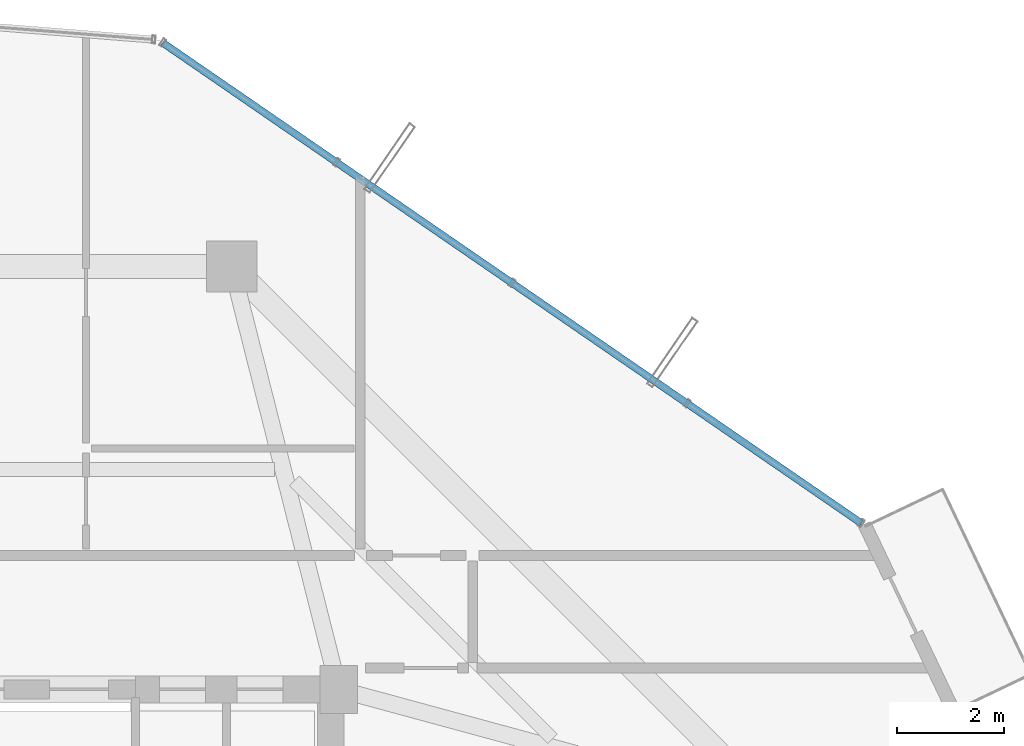
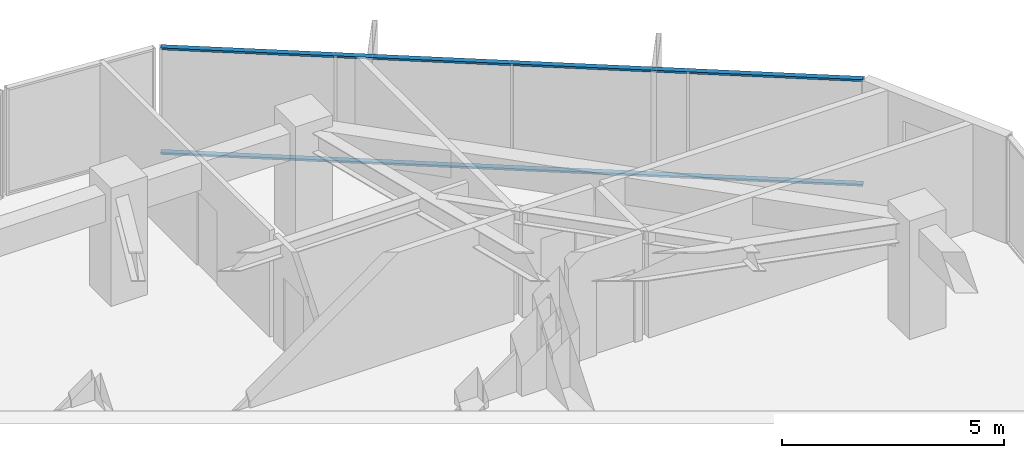
# One storey, part 22 of 29: 2 members, 1 element without a shape of its own.
"""IFC4 building model written with IfcOpenShell, lengths in metres."""

from ifc_helpers import new_model, si_unit, direction, frame, origin, origin_2d, place, context, subcontext, project, spatial, hollow_rectangle, extrude, source, transform, mapped, material, layer, layer_set, material_profile, profile_set, type_object, element, aggregate, save


model = new_model("IFC4")

# Units and contexts
model_context = context("Model", 3, precision=1e-05, world=origin(), true_north=direction((0.0, 1.0)))
body_context = subcontext(model_context, "Body", "Model", "MODEL_VIEW")
ifc_project = project(units=[si_unit("LENGTHUNIT", "METRE"), si_unit("AREAUNIT", "SQUARE_METRE"), si_unit("VOLUMEUNIT", "CUBIC_METRE"), si_unit("PLANEANGLEUNIT", "RADIAN"), si_unit("MASSUNIT", "GRAM", prefix="KILO")], contexts=[model_context])

# Site, building, storey
site_placement = place(None, origin())
site = spatial("IfcSite", under=ifc_project, at=site_placement, CompositionType="ELEMENT")
building_placement = place(site_placement, origin())
building = spatial("IfcBuilding", under=site, at=building_placement, Name="Veraguas Prism Commons", CompositionType="ELEMENT")
storey_placement = place(building_placement, frame((0.0, 0.0, 222.14990234375)))
storey = spatial("IfcBuildingStorey", under=building, at=storey_placement, Name="L63", CompositionType="ELEMENT", Elevation=222.14990234375)

# Curtain wall, members
ifc_material = material(Name="Anodised aluminium EN AW-6063 T6", Category="aluminium")
ifc_layer = layer(ifc_material, 0.14990234375, Name="Unitised Flush Curtain Wall Zone 3", Category="aluminium")
ifc_layer_set = layer_set([ifc_layer], Name="Anodised aluminium EN AW-6063 T6")
curtain_wall_type = type_object("IfcCurtainWallType", Name="Unitised Flush Curtain Wall Zone 3", PredefinedType="NOTDEFINED", material=ifc_layer_set)
curtain_wall_placement = place(storey_placement, origin())
curtain_wall = element("IfcCurtainWall", 1, at=curtain_wall_placement, inside=storey, type_object=curtain_wall_type, Name="Tower Facade Curtain Wall L63-F1", PredefinedType="NOTDEFINED")
ifc_material_profile = material_profile(ifc_material, hollow_rectangle(XDim=0.054931640625, YDim=0.135009765625, WallThickness=0.0029296875, at=origin_2d()), Name="AL55X135X3")
ifc_profile_set = profile_set([ifc_material_profile], Name="Anodised aluminium EN AW-6063 T6")
member_type = type_object("IfcMemberType", Name="Curtain Wall Transom Standard AL 55x135x3", PredefinedType="USERDEFINED", material=ifc_profile_set)
shared_shape = source(origin(), body_context, "Body", "SweptSolid", [
    extrude(hollow_rectangle(XDim=0.054931640625, YDim=0.135009765625, WallThickness=0.0029296875, at=origin_2d()), origin(), (0.0, 0.0, 1.0), 15.84228515625),
])
member_1_placement = place(storey_placement, frame((40.562744140625, 34.10302734375, 0.027587890625), z_axis=(-0.823928147051, 0.566694281334, 0.0), x_axis=(0.0, 0.0, 1.0)))
member_1 = element("IfcMember", 2, at=member_1_placement, type_object=member_type, Name="CW-Z3 Transom 1", ObjectType="TRANSOM", PredefinedType="USERDEFINED", context=body_context, shape_type="MappedRepresentation", body=[
    mapped(shared_shape, transform((0.0, 0.0, 0.0), scale=1.0)),
])
member_2_placement = place(storey_placement, frame((40.562744140625, 34.10302734375, 2.902587890625), z_axis=(-0.823928147051, 0.566694281334, 0.0), x_axis=(0.0, 0.0, 1.0)))
member_2 = element("IfcMember", 3, at=member_2_placement, type_object=member_type, Name="CW-Z3 Transom 2", ObjectType="TRANSOM", PredefinedType="USERDEFINED", context=body_context, shape_type="MappedRepresentation", body=[
    mapped(shared_shape, transform((0.0, 0.0, 0.0), scale=1.0)),
])
aggregate(curtain_wall, [member_1, member_2])

save(model, "model.ifc")
